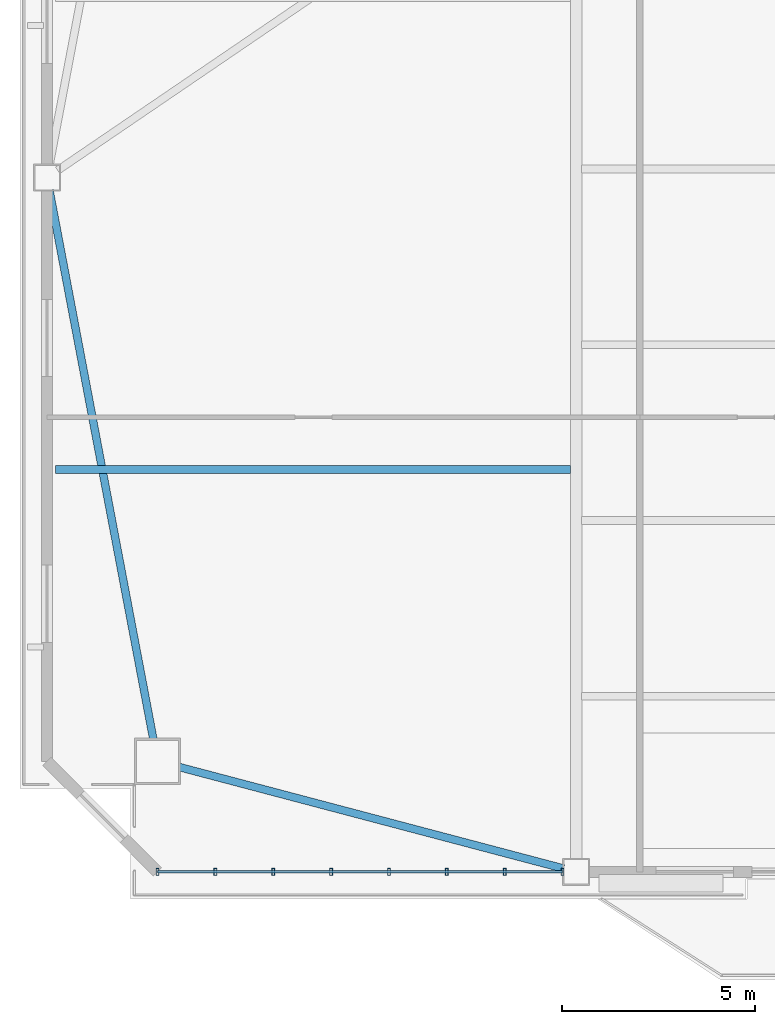
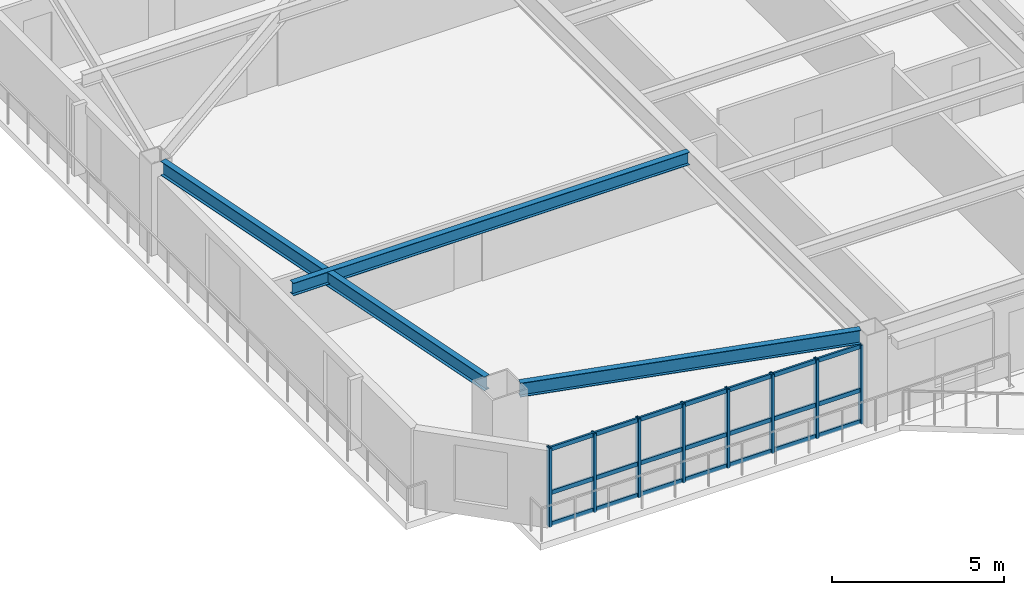
# One storey, part 2 of 15: 11 members, 3 beams, 1 element without a shape of its own.
"""IFC4 building model written with IfcOpenShell, lengths in metres."""

import ifcopenshell
import ifcopenshell.guid

model = None  # the IFC model being written
_history = None  # IfcOwnerHistory: only IFC2X3 demands one
_inside = {}  # id of a spatial element -> (the spatial element, [elements in it])
_under = {}  # id of a project, library or spatial element -> (it, [spatial elements below it])
_declared = {}  # id of a project -> (the project, [libraries it declares])
_typed = {}  # id of a type object -> (the type object, [elements of that type])
_made_of = {}  # id of a material, layer set ... -> (it, [elements and type objects made of it])


def new_model(schema):
    """Start an empty IFC model of exactly this schema.

    Asked for "IFC4X3", IfcOpenShell would pick the latest addendum, in which some entities
    have other attributes; the version numbers below select the first issue.
    IFC2X3 requires an IfcOwnerHistory on every rooted entity: one is made here for all.
    """
    global model, _history
    if schema == "IFC4X3":
        model = ifcopenshell.file(schema_version=(4, 3, 0, 0))
    else:
        model = ifcopenshell.file(schema=schema)
    _inside.clear()
    _under.clear()
    _declared.clear()
    _typed.clear()
    _made_of.clear()
    _history = None
    if model.schema == "IFC2X3":
        org = make("IfcOrganization", Name="unknown")
        user = make(
            "IfcPersonAndOrganization",
            ThePerson=make("IfcPerson", FamilyName="unknown"),
            TheOrganization=org,
        )
        app = make(
            "IfcApplication",
            ApplicationDeveloper=org,
            Version="unknown",
            ApplicationFullName="unknown",
            ApplicationIdentifier="unknown",
        )
        _history = make(
            "IfcOwnerHistory",
            OwningUser=user,
            OwningApplication=app,
            ChangeAction="ADDED",
            CreationDate=0,
        )
    return model


def make(cls, **values):
    """One entity of the class cls with the attributes given. An attribute that is None is left unset."""
    return model.create_entity(
        cls, **{name: value for name, value in values.items() if value is not None}
    )


def rooted(cls, **values):
    """An entity with a GlobalId (a new one), such as an element, a storey or a relation."""
    return make(cls, GlobalId=ifcopenshell.guid.new(), OwnerHistory=_history, **values)


def si_unit(unit_type, name, prefix=None):
    """IfcSIUnit, for example si_unit("LENGTHUNIT", "METRE", prefix="MILLI")."""
    return make("IfcSIUnit", UnitType=unit_type, Prefix=prefix, Name=name)


def assignment(units):
    """IfcUnitAssignment: the units of a project."""
    return None if units is None else make("IfcUnitAssignment", Units=units)


def point(xyz):
    """IfcCartesianPoint."""
    return None if xyz is None else make("IfcCartesianPoint", Coordinates=xyz)


def direction(xyz):
    """IfcDirection."""
    return None if xyz is None else make("IfcDirection", DirectionRatios=xyz)


def frame(location, z_axis=None, x_axis=None):
    """IfcAxis2Placement3D, a coordinate frame: its origin and axes. An axis left out is left unset."""
    return make(
        "IfcAxis2Placement3D",
        Location=point(location),
        Axis=direction(z_axis),
        RefDirection=direction(x_axis),
    )


def frame_2d(location, x_axis=None):
    """IfcAxis2Placement2D, a coordinate frame in the plane: its origin and x axis."""
    return make(
        "IfcAxis2Placement2D", Location=point(location), RefDirection=direction(x_axis)
    )


def origin():
    """The frame at (0, 0, 0) with its axes left unset."""
    return frame((0.0, 0.0, 0.0))


def origin_2d():
    """The frame at (0, 0) in the plane with its x axis left unset."""
    return frame_2d((0.0, 0.0))


def place(relative_to, where):
    """IfcLocalPlacement: puts the frame where relative to a parent placement (None: the world)."""
    return make(
        "IfcLocalPlacement", PlacementRelTo=relative_to, RelativePlacement=where
    )


def context(
    kind, dimensions, precision=None, world=None, true_north=None, identifier=None
):
    """IfcGeometricRepresentationContext, for example the 3D "Model" context."""
    return make(
        "IfcGeometricRepresentationContext",
        ContextIdentifier=identifier,
        ContextType=kind,
        CoordinateSpaceDimension=dimensions,
        Precision=precision,
        WorldCoordinateSystem=world,
        TrueNorth=true_north,
    )


def subcontext(parent, identifier, kind, view, scale=None):
    """IfcGeometricRepresentationSubContext, for example "Body" below "Model"."""
    return make(
        "IfcGeometricRepresentationSubContext",
        ContextIdentifier=identifier,
        ContextType=kind,
        ParentContext=parent,
        TargetScale=scale,
        TargetView=view,
    )


def project(units=None, contexts=None):
    """IfcProject with its units and contexts."""
    return rooted(
        "IfcProject",
        Name="project",
        RepresentationContexts=contexts,
        UnitsInContext=assignment(units),
    )


def spatial(cls, under=None, at=None, **own):
    """A site, building, storey or space (cls), placed at a placement, below another one or the project."""
    s = rooted(cls, ObjectPlacement=at, **own)
    if under is not None:
        _under.setdefault(under.id(), (under, []))[1].append(s)
    return s


def profile(cls, at=None, kind="AREA", **sizes):
    """A parametric profile (cls). Its sizes go by their IFC names, for example OverallWidth=200.0."""
    return make(cls, ProfileType=kind, Position=at, **sizes)


def hollow_rectangle(**sizes):
    """IfcRectangleHollowProfileDef."""
    return profile("IfcRectangleHollowProfileDef", **sizes)


def i_section(**sizes):
    """IfcIShapeProfileDef."""
    return profile("IfcIShapeProfileDef", **sizes)


def extrude(swept, where, along, depth):
    """IfcExtrudedAreaSolid: the profile swept, set in the frame where, extruded along a direction by depth."""
    return make(
        "IfcExtrudedAreaSolid",
        SweptArea=swept,
        Position=where,
        ExtrudedDirection=direction(along),
        Depth=depth,
    )


def shape(context_of_items, identifier, shape_type, items):
    """IfcShapeRepresentation: the items that make up one representation, for example the "Body"."""
    return make(
        "IfcShapeRepresentation",
        ContextOfItems=context_of_items,
        RepresentationIdentifier=identifier,
        RepresentationType=shape_type,
        Items=items,
    )


def source(mapping_origin, context_of_items, identifier, shape_type, items):
    """IfcRepresentationMap: a shape defined once, which mapped items show again and again."""
    return make(
        "IfcRepresentationMap",
        MappingOrigin=mapping_origin,
        MappedRepresentation=shape(context_of_items, identifier, shape_type, items),
    )


def transform(
    local_origin,
    x_axis=None,
    y_axis=None,
    z_axis=None,
    scale=None,
    scale2=None,
    scale3=None,
    uniform=True,
):
    """IfcCartesianTransformationOperator3D, or its non-uniform kind. x_axis, y_axis, z_axis: its Axis1, 2, 3."""
    if uniform:
        return make(
            "IfcCartesianTransformationOperator3D",
            Axis1=direction(x_axis),
            Axis2=direction(y_axis),
            LocalOrigin=point(local_origin),
            Scale=scale,
            Axis3=direction(z_axis),
        )
    return make(
        "IfcCartesianTransformationOperator3DnonUniform",
        Axis1=direction(x_axis),
        Axis2=direction(y_axis),
        LocalOrigin=point(local_origin),
        Scale=scale,
        Axis3=direction(z_axis),
        Scale2=scale2,
        Scale3=scale3,
    )


def mapped(mapping_source, mapping_target):
    """IfcMappedItem: shows the shape of a source again, moved by a transform."""
    return make(
        "IfcMappedItem", MappingSource=mapping_source, MappingTarget=mapping_target
    )


def material(Name=None, Category=None):
    """IfcMaterial."""
    return make("IfcMaterial", Name=Name, Category=Category)


def layer(
    of_material, thickness, ventilated=None, Name=None, Category=None, Priority=None
):
    """IfcMaterialLayer: one layer of a wall or slab, of a material (None: an air gap)."""
    return make(
        "IfcMaterialLayer",
        Material=of_material,
        LayerThickness=thickness,
        IsVentilated=ventilated,
        Name=Name,
        Category=Category,
        Priority=Priority,
    )


def layer_set(layers, Name=None):
    """IfcMaterialLayerSet."""
    return make("IfcMaterialLayerSet", MaterialLayers=layers, LayerSetName=Name)


def material_profile(
    of_material, cross_section, Name=None, Category=None, Priority=None
):
    """IfcMaterialProfile: a cross section and its material."""
    return make(
        "IfcMaterialProfile",
        Name=Name,
        Material=of_material,
        Profile=cross_section,
        Priority=Priority,
        Category=Category,
    )


def profile_set(profiles, Name=None, composite=None):
    """IfcMaterialProfileSet."""
    return make(
        "IfcMaterialProfileSet",
        Name=Name,
        MaterialProfiles=profiles,
        CompositeProfile=composite,
    )


def made_of(thing, what):
    """Note that an element or type object is made of a material, layer set ...; save() writes the relation."""
    if what is not None:
        _made_of.setdefault(what.id(), (what, []))[1].append(thing)
    return thing


def type_object(cls, material=None, **own):
    """A type object (cls), such as IfcWallType, which elements share."""
    return made_of(rooted(cls, **own), material)


def element(
    cls,
    number,
    at=None,
    inside=None,
    cuts=None,
    type_object=None,
    material=None,
    context=None,
    identifier="Body",
    shape_type=None,
    held_by="IfcProductDefinitionShape",
    body=None,
    shapes=None,
    **own,
):
    """One element of the class cls, such as IfcWall. Its Tag is "e" and its number.

    at: its placement. inside: the storey or other place that contains it. cuts: it is an
    opening in that element (IfcRelVoidsElement). A single representation is given by context,
    identifier, shape_type and body (its items); several are given by shapes. held_by: the class
    of the entity that holds the representations. save() writes the other relations.
    """
    e = rooted(cls, Tag="e%d" % number, ObjectPlacement=at, **own)
    if body is not None:
        shapes = [shape(context, identifier, shape_type, body)]
    if shapes is not None:
        e.Representation = make(held_by, Representations=shapes)
    if inside is not None:
        _inside.setdefault(inside.id(), (inside, []))[1].append(e)
    if cuts is not None:
        rooted(
            "IfcRelVoidsElement", RelatingBuildingElement=cuts, RelatedOpeningElement=e
        )
    if type_object is not None:
        _typed.setdefault(type_object.id(), (type_object, []))[1].append(e)
    return made_of(e, material)


def aggregate(whole, parts):
    """IfcRelAggregates: a whole, such as a stair, and the parts it consists of."""
    return rooted("IfcRelAggregates", RelatingObject=whole, RelatedObjects=parts)


def save(model, path):
    """Write the relations noted so far, then the file.

    IfcRelAggregates (storeys below a building ...), IfcRelContainedInSpatialStructure (elements
    in a storey), IfcRelDefinesByType, IfcRelAssociatesMaterial and IfcRelDeclares: one each for
    every whole, place, type object, material and project.
    """
    for whole, parts in _under.values():
        aggregate(whole, parts)
    for where, things in _inside.values():
        rooted(
            "IfcRelContainedInSpatialStructure",
            RelatedElements=things,
            RelatingStructure=where,
        )
    for kind, things in _typed.values():
        rooted("IfcRelDefinesByType", RelatedObjects=things, RelatingType=kind)
    for what, things in _made_of.values():
        rooted("IfcRelAssociatesMaterial", RelatedObjects=things, RelatingMaterial=what)
    for by, libraries in _declared.values():
        rooted("IfcRelDeclares", RelatingContext=by, RelatedDefinitions=libraries)
    model.write(path)


model = new_model("IFC4")

# Units and contexts
model_context = context("Model", 3, precision=1e-05, world=origin(), true_north=direction((0.0, 1.0)))
body_context = subcontext(model_context, "Body", "Model", "MODEL_VIEW")
ifc_project = project(units=[si_unit("LENGTHUNIT", "METRE"), si_unit("AREAUNIT", "SQUARE_METRE"), si_unit("VOLUMEUNIT", "CUBIC_METRE"), si_unit("PLANEANGLEUNIT", "RADIAN"), si_unit("MASSUNIT", "GRAM", prefix="KILO")], contexts=[model_context])

# Site, building, storey
site_placement = place(None, origin())
site = spatial("IfcSite", under=ifc_project, at=site_placement, CompositionType="ELEMENT")
building_placement = place(site_placement, origin())
building = spatial("IfcBuilding", under=site, at=building_placement, Name="Giltprow Tower", CompositionType="ELEMENT")
storey_placement = place(building_placement, frame((0.0, 0.0, 180.699951171875)))
storey = spatial("IfcBuildingStorey", under=building, at=storey_placement, Name="L45", CompositionType="ELEMENT", Elevation=180.699951171875)

# Beams
ifc_material_1 = material(Name="Structural steel Q355B", Category="steel")
ifc_material_profile_1 = material_profile(ifc_material_1, i_section(OverallWidth=0.199951171875, OverallDepth=0.5, WebThickness=0.010009765625, FlangeThickness=0.01611328125, at=origin_2d()), Name="HN 500x200x10x16")
ifc_profile_set_1 = profile_set([ifc_material_profile_1], Name="Structural steel Q355B")
beam_type_1 = type_object("IfcBeamType", Name="BM-SPAN-HN500", PredefinedType="SPANDREL", material=ifc_profile_set_1)
shared_shape_1 = source(origin(), body_context, "Body", "SweptSolid", [
    extrude(i_section(OverallWidth=0.199951171875, OverallDepth=0.5, WebThickness=0.010009765625, FlangeThickness=0.01611328125, at=origin_2d()), origin(), (0.0, 0.0, 1.0), 10.28564453125),
])
beam_1_placement = place(storey_placement, frame((9.5810546875, 12.865966796875, 3.02001953125), z_axis=(0.966860819622, -0.255304045168, 0.0), x_axis=(0.255304045168, 0.966860819622, 0.0)))
element("IfcBeam", 1, at=beam_1_placement, inside=storey, type_object=beam_type_1, Name="L45 Perimeter Spandrel Beam MC_SW-S1", PredefinedType="SPANDREL", context=body_context, shape_type="MappedRepresentation", body=[
    mapped(shared_shape_1, transform((0.0, 0.0, 0.0), x_axis=(1.0, 0.0, 0.0), y_axis=(0.0, 1.0, 0.0), z_axis=(0.0, 0.0, 1.0), scale=1.0)),
])
shared_shape_2 = source(origin(), body_context, "Body", "SweptSolid", [
    extrude(i_section(OverallWidth=0.199951171875, OverallDepth=0.5, WebThickness=0.010009765625, FlangeThickness=0.01611328125, at=origin_2d()), origin(), (0.0, 0.0, 1.0), 14.46044921875),
])
beam_2_placement = place(storey_placement, frame((6.216064453125, 27.798095703125, 3.02001953125), z_axis=(0.186021185186, -0.982545733624, 0.0), x_axis=(0.982545733624, 0.186021185186, 0.0)))
element("IfcBeam", 2, at=beam_2_placement, inside=storey, type_object=beam_type_1, Name="L45 Perimeter Spandrel Beam W_MID-MC_SW", PredefinedType="SPANDREL", context=body_context, shape_type="MappedRepresentation", body=[
    mapped(shared_shape_2, transform((0.0, 0.0, 0.0), x_axis=(1.0, 0.0, 0.0), y_axis=(0.0, 1.0, 0.0), z_axis=(0.0, 0.0, 1.0), scale=1.0)),
])
ifc_material_profile_2 = material_profile(ifc_material_1, i_section(OverallWidth=0.199951171875, OverallDepth=0.449951171875, WebThickness=0.009033203125, FlangeThickness=0.013916015625, at=origin_2d()), Name="HN 450x200x9x14")
ifc_profile_set_2 = profile_set([ifc_material_profile_2], Name="Structural steel Q355B")
beam_type_2 = type_object("IfcBeamType", Name="BM-JOIST-HN450", PredefinedType="JOIST", material=ifc_profile_set_2)
shared_shape_3 = source(origin(), body_context, "Body", "SweptSolid", [
    extrude(i_section(OverallWidth=0.199951171875, OverallDepth=0.449951171875, WebThickness=0.009033203125, FlangeThickness=0.013916015625, at=origin_2d()), origin(), (0.0, 0.0, 1.0), 13.3310546875),
])
beam_3_placement = place(storey_placement, frame((6.3740234375, 20.571044921875, 3.045166015625), z_axis=(1.0, 0.0, 0.0), x_axis=(0.0, 1.0, 0.0)))
element("IfcBeam", 3, at=beam_3_placement, inside=storey, type_object=beam_type_2, Name="L45 West Wing Floor Joist 1", PredefinedType="JOIST", context=body_context, shape_type="MappedRepresentation", body=[
    mapped(shared_shape_3, transform((0.0, 0.0, 0.0), x_axis=(1.0, 0.0, 0.0), y_axis=(0.0, 1.0, 0.0), z_axis=(0.0, 0.0, 1.0), scale=1.0)),
])

# Curtain wall, members
ifc_material_2 = material(Name="Anodized bronze", Category="metal")
ifc_layer = layer(ifc_material_2, 0.179931640625, Name="Anodized bronze")
ifc_layer_set = layer_set([ifc_layer], Name="Anodized bronze")
curtain_wall_type = type_object("IfcCurtainWallType", Name="CW-HTL-BRONZE", PredefinedType="NOTDEFINED", material=ifc_layer_set)
curtain_wall_placement = place(storey_placement, origin())
curtain_wall = element("IfcCurtainWall", 4, at=curtain_wall_placement, inside=storey, type_object=curtain_wall_type, Name="L45 South Recessed Curtain Wall 1", PredefinedType="NOTDEFINED")
ifc_material_profile_3 = material_profile(ifc_material_2, hollow_rectangle(XDim=0.074951171875, YDim=0.179931640625, WallThickness=0.008056640625, at=origin_2d()), Name="RHS 180x75x8")
ifc_profile_set_3 = profile_set([ifc_material_profile_3], Name="Anodized bronze")
member_type_1 = type_object("IfcMemberType", Name="CW-MULLION-180x75", PredefinedType="MULLION", material=ifc_profile_set_3)
shared_shape_4 = source(origin(), body_context, "Body", "SweptSolid", [
    extrude(hollow_rectangle(XDim=0.074951171875, YDim=0.179931640625, WallThickness=0.008056640625, at=origin_2d()), origin(), (0.0, 0.0, 1.0), 2.80517578125),
])
member_1_placement = place(storey_placement, frame((9.014892578125, 10.154052734375, -0.02001953125), z_axis=(0.0, 0.0, 1.0), x_axis=(1.0, 0.0, 0.0)))
member_1 = element("IfcMember", 5, at=member_1_placement, type_object=member_type_1, Name="L45 South Recessed Curtain Wall 1 Mullion 1", PredefinedType="MULLION", context=body_context, shape_type="MappedRepresentation", body=[
    mapped(shared_shape_4, transform((0.0, 0.0, 0.0), x_axis=(1.0, 0.0, 0.0), y_axis=(0.0, 1.0, 0.0), z_axis=(0.0, 0.0, 1.0), scale=1.0)),
])
member_2_placement = place(storey_placement, frame((10.512939453125, 10.154052734375, -0.02001953125), z_axis=(0.0, 0.0, 1.0), x_axis=(1.0, 0.0, 0.0)))
member_2 = element("IfcMember", 6, at=member_2_placement, type_object=member_type_1, Name="L45 South Recessed Curtain Wall 1 Mullion 2", PredefinedType="MULLION", context=body_context, shape_type="MappedRepresentation", body=[
    mapped(shared_shape_4, transform((0.0, 0.0, 0.0), x_axis=(1.0, 0.0, 0.0), y_axis=(0.0, 1.0, 0.0), z_axis=(0.0, 0.0, 1.0), scale=1.0)),
])
member_3_placement = place(storey_placement, frame((12.010986328125, 10.154052734375, -0.02001953125), z_axis=(0.0, 0.0, 1.0), x_axis=(1.0, 0.0, 0.0)))
member_3 = element("IfcMember", 7, at=member_3_placement, type_object=member_type_1, Name="L45 South Recessed Curtain Wall 1 Mullion 3", PredefinedType="MULLION", context=body_context, shape_type="MappedRepresentation", body=[
    mapped(shared_shape_4, transform((0.0, 0.0, 0.0), x_axis=(1.0, 0.0, 0.0), y_axis=(0.0, 1.0, 0.0), z_axis=(0.0, 0.0, 1.0), scale=1.0)),
])
member_4_placement = place(storey_placement, frame((13.509033203125, 10.154052734375, -0.02001953125), z_axis=(0.0, 0.0, 1.0), x_axis=(1.0, 0.0, 0.0)))
member_4 = element("IfcMember", 8, at=member_4_placement, type_object=member_type_1, Name="L45 South Recessed Curtain Wall 1 Mullion 4", PredefinedType="MULLION", context=body_context, shape_type="MappedRepresentation", body=[
    mapped(shared_shape_4, transform((0.0, 0.0, 0.0), x_axis=(1.0, 0.0, 0.0), y_axis=(0.0, 1.0, 0.0), z_axis=(0.0, 0.0, 1.0), scale=1.0)),
])
member_5_placement = place(storey_placement, frame((15.006103515625, 10.154052734375, -0.02001953125), z_axis=(0.0, 0.0, 1.0), x_axis=(1.0, 0.0, 0.0)))
member_5 = element("IfcMember", 9, at=member_5_placement, type_object=member_type_1, Name="L45 South Recessed Curtain Wall 1 Mullion 5", PredefinedType="MULLION", context=body_context, shape_type="MappedRepresentation", body=[
    mapped(shared_shape_4, transform((0.0, 0.0, 0.0), x_axis=(1.0, 0.0, 0.0), y_axis=(0.0, 1.0, 0.0), z_axis=(0.0, 0.0, 1.0), scale=1.0)),
])
member_6_placement = place(storey_placement, frame((16.50390625, 10.154052734375, -0.02001953125), z_axis=(0.0, 0.0, 1.0), x_axis=(1.0, 0.0, 0.0)))
member_6 = element("IfcMember", 10, at=member_6_placement, type_object=member_type_1, Name="L45 South Recessed Curtain Wall 1 Mullion 6", PredefinedType="MULLION", context=body_context, shape_type="MappedRepresentation", body=[
    mapped(shared_shape_4, transform((0.0, 0.0, 0.0), x_axis=(1.0, 0.0, 0.0), y_axis=(0.0, 1.0, 0.0), z_axis=(0.0, 0.0, 1.0), scale=1.0)),
])
member_7_placement = place(storey_placement, frame((18.001953125, 10.154052734375, -0.02001953125), z_axis=(0.0, 0.0, 1.0), x_axis=(1.0, 0.0, 0.0)))
member_7 = element("IfcMember", 11, at=member_7_placement, type_object=member_type_1, Name="L45 South Recessed Curtain Wall 1 Mullion 7", PredefinedType="MULLION", context=body_context, shape_type="MappedRepresentation", body=[
    mapped(shared_shape_4, transform((0.0, 0.0, 0.0), x_axis=(1.0, 0.0, 0.0), y_axis=(0.0, 1.0, 0.0), z_axis=(0.0, 0.0, 1.0), scale=1.0)),
])
member_8_placement = place(storey_placement, frame((19.5, 10.154052734375, -0.02001953125), z_axis=(0.0, 0.0, 1.0), x_axis=(1.0, 0.0, 0.0)))
member_8 = element("IfcMember", 12, at=member_8_placement, type_object=member_type_1, Name="L45 South Recessed Curtain Wall 1 Mullion 8", PredefinedType="MULLION", context=body_context, shape_type="MappedRepresentation", body=[
    mapped(shared_shape_4, transform((0.0, 0.0, 0.0), x_axis=(1.0, 0.0, 0.0), y_axis=(0.0, 1.0, 0.0), z_axis=(0.0, 0.0, 1.0), scale=1.0)),
])
ifc_material_profile_4 = material_profile(ifc_material_2, hollow_rectangle(XDim=0.06494140625, YDim=0.14990234375, WallThickness=0.006103515625, at=origin_2d()), Name="RHS 150x65x6")
ifc_profile_set_4 = profile_set([ifc_material_profile_4], Name="Anodized bronze")
member_type_2 = type_object("IfcMemberType", Name="CW-TRANSOM-150x65", PredefinedType="USERDEFINED", material=ifc_profile_set_4)
shared_shape_5 = source(origin(), body_context, "Body", "SweptSolid", [
    extrude(hollow_rectangle(XDim=0.06494140625, YDim=0.14990234375, WallThickness=0.006103515625, at=origin_2d()), origin(), (0.0, 0.0, 1.0), 10.485107421875),
])
member_9_placement = place(storey_placement, frame((9.014892578125, 10.154052734375, 0.0400390625), z_axis=(1.0, 0.0, 0.0), x_axis=(0.0, 1.0, 0.0)))
member_9 = element("IfcMember", 13, at=member_9_placement, type_object=member_type_2, Name="L45 South Recessed Curtain Wall 1 Transom 1", ObjectType="TRANSOM", PredefinedType="USERDEFINED", context=body_context, shape_type="MappedRepresentation", body=[
    mapped(shared_shape_5, transform((0.0, 0.0, 0.0), x_axis=(1.0, 0.0, 0.0), y_axis=(0.0, 1.0, 0.0), z_axis=(0.0, 0.0, 1.0), scale=1.0)),
])
member_10_placement = place(storey_placement, frame((9.014892578125, 10.154052734375, 1.155029296875), z_axis=(1.0, 0.0, 0.0), x_axis=(0.0, 1.0, 0.0)))
member_10 = element("IfcMember", 14, at=member_10_placement, type_object=member_type_2, Name="L45 South Recessed Curtain Wall 1 Transom 2", ObjectType="TRANSOM", PredefinedType="USERDEFINED", context=body_context, shape_type="MappedRepresentation", body=[
    mapped(shared_shape_5, transform((0.0, 0.0, 0.0), x_axis=(1.0, 0.0, 0.0), y_axis=(0.0, 1.0, 0.0), z_axis=(0.0, 0.0, 1.0), scale=1.0)),
])
member_11_placement = place(storey_placement, frame((9.014892578125, 10.154052734375, 2.7099609375), z_axis=(1.0, 0.0, 0.0), x_axis=(0.0, 1.0, 0.0)))
member_11 = element("IfcMember", 15, at=member_11_placement, type_object=member_type_2, Name="L45 South Recessed Curtain Wall 1 Transom 3", ObjectType="TRANSOM", PredefinedType="USERDEFINED", context=body_context, shape_type="MappedRepresentation", body=[
    mapped(shared_shape_5, transform((0.0, 0.0, 0.0), x_axis=(1.0, 0.0, 0.0), y_axis=(0.0, 1.0, 0.0), z_axis=(0.0, 0.0, 1.0), scale=1.0)),
])
aggregate(curtain_wall, [member_1, member_2, member_3, member_4, member_5, member_6, member_7, member_8, member_9, member_10, member_11])

save(model, "model.ifc")
